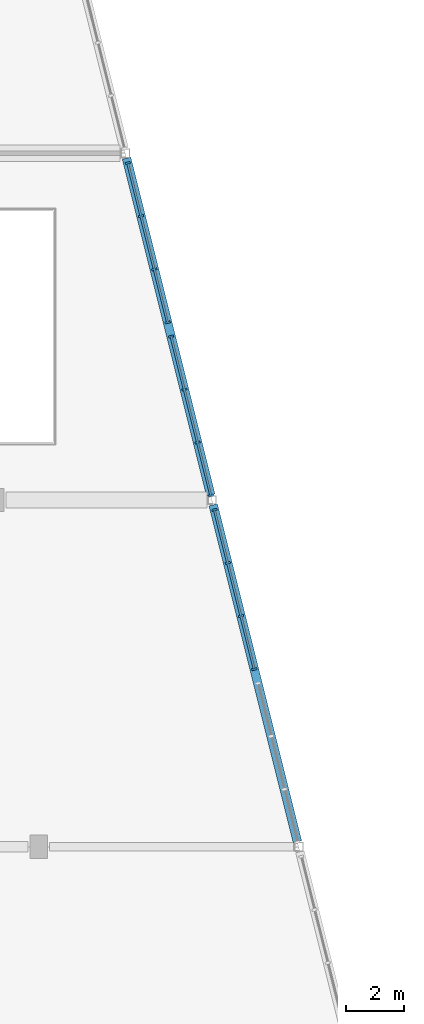
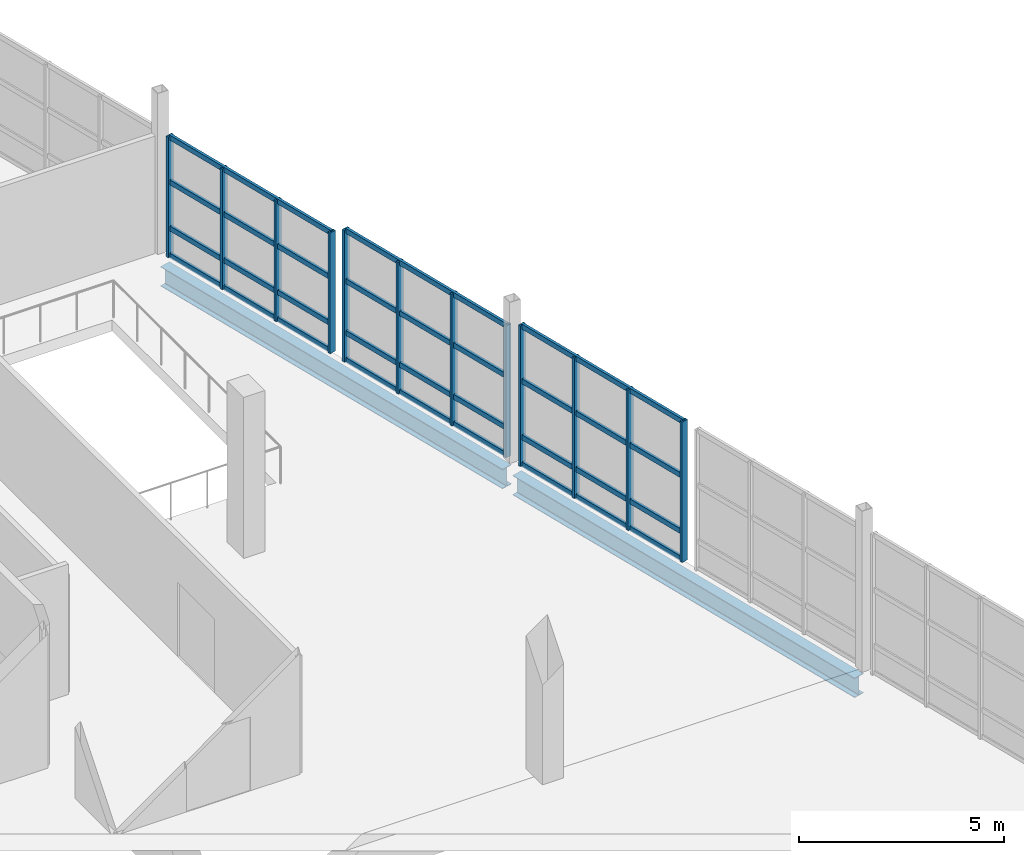
# One storey, part 22 of 49: 24 members, 2 beams, 3 elements without a shape of their own.
"""IFC4 building model written with IfcOpenShell, lengths in metres."""

from ifc_helpers import new_model, si_unit, direction, frame, origin, origin_2d, place, context, subcontext, project, spatial, rectangle, i_section, extrude, material, material_profile, profile_set, type_object, element, aggregate, save


model = new_model("IFC4")

# Units and contexts
model_context = context("Model", 3, precision=1e-05, world=origin(), true_north=direction((0.0, 1.0)))
body_context = subcontext(model_context, "Body", "Model", "MODEL_VIEW")
ifc_project = project(units=[si_unit("LENGTHUNIT", "METRE"), si_unit("AREAUNIT", "SQUARE_METRE"), si_unit("VOLUMEUNIT", "CUBIC_METRE"), si_unit("PLANEANGLEUNIT", "RADIAN"), si_unit("MASSUNIT", "GRAM", prefix="KILO")], contexts=[model_context])

# Site, building, storey
site_placement = place(None, origin())
site = spatial("IfcSite", under=ifc_project, at=site_placement, CompositionType="ELEMENT")
building_placement = place(site_placement, origin())
building = spatial("IfcBuilding", under=site, at=building_placement, Name="Kamomehara Wholesale Market", CompositionType="ELEMENT")
storey_placement = place(building_placement, frame((0.0, 0.0, 11.39990234375)))
storey = spatial("IfcBuildingStorey", under=building, at=storey_placement, Name="L02", CompositionType="ELEMENT", Elevation=11.39990234375)

# Beams
ifc_material_1 = material(Name="Steel SN490B", Category="steel")
ifc_material_profile_1 = material_profile(ifc_material_1, i_section(OverallWidth=0.300048828125, OverallDepth=0.587890625, WebThickness=0.011962890625, FlangeThickness=0.02001953125, FilletRadius=0.02197265625, at=origin_2d()), Name="H-588x300x12x20")
ifc_profile_set_1 = profile_set([ifc_material_profile_1], Name="Steel SN490B")
beam_type = type_object("IfcBeamType", Name="BM-ST-H588-EXT", PredefinedType="BEAM", material=ifc_profile_set_1)
for number, where, z_axis, x_axis, name in (
    (1, (197.95703125, 48.172119140625, -0.6259765625), (-0.242545187601, 0.970140109454, 0.0), (-0.970140109454, -0.242545187601, 0.0), "Beam SG-06E L02"),
    (2, (194.95703125, 60.172119140625, -0.6259765625), (-0.242545187601, 0.970140109454, 0.0), (-0.970140109454, -0.242545187601, 0.0), "Beam SG-06E L02"),
):
    element("IfcBeam", number, at=place(storey_placement, frame(where, z_axis=z_axis, x_axis=x_axis)), inside=storey, type_object=beam_type, Name=name, PredefinedType="BEAM", context=body_context, shape_type="SweptSolid", body=[
        extrude(i_section(OverallWidth=0.300048828125, OverallDepth=0.587890625, WebThickness=0.011962890625, FlangeThickness=0.02001953125, FilletRadius=0.02197265625, at=origin_2d()), origin(), (0.0, 0.0, 1.0), 12.014404296875),
    ])

# Curtain wall, members
ifc_material_2 = material(Name="Anodised aluminium 6063-T5", Category="aluminium")
curtain_wall_type = type_object("IfcCurtainWallType", Name="CW-UN-09", PredefinedType="NOTDEFINED", material=ifc_material_2)
curtain_wall_1_placement = place(storey_placement, origin())
curtain_wall_1 = element("IfcCurtainWall", 3, at=curtain_wall_1_placement, inside=storey, type_object=curtain_wall_type, Name="Unitised curtain wall CW-197", PredefinedType="NOTDEFINED")
ifc_material_3 = material(Name="Anodised aluminium 6063-T5", Category="aluminium")
ifc_material_profile_2 = material_profile(ifc_material_3, rectangle(XDim=0.074951171875, YDim=0.179931640625, at=origin_2d()), Name="ALU-MUL-75x180")
ifc_profile_set_2 = profile_set([ifc_material_profile_2], Name="Anodised aluminium 6063-T5")
member_type_1 = type_object("IfcMemberType", Name="CW-MUL-180", PredefinedType="MULLION", material=ifc_profile_set_2)
member_1_placement = place(storey_placement, frame((195.0849609375, 59.659912109375, 0.0), z_axis=(0.0, 0.0, 1.0), x_axis=(0.242617855844, -0.97012193874, 0.0)))
member_1 = element("IfcMember", 4, at=member_1_placement, type_object=member_type_1, Name="Mullion CW-197.0", PredefinedType="MULLION", context=body_context, shape_type="SweptSolid", body=[
    extrude(rectangle(XDim=0.074951171875, YDim=0.179931640625, at=origin_2d()), origin(), (0.0, 0.0, 1.0), 4.192138671875),
])
member_2_placement = place(storey_placement, frame((195.544921875, 57.822021484375, 0.0), z_axis=(0.0, 0.0, 1.0), x_axis=(0.242617855844, -0.97012193874, 0.0)))
member_2 = element("IfcMember", 5, at=member_2_placement, type_object=member_type_1, Name="Mullion CW-197.1", PredefinedType="MULLION", context=body_context, shape_type="SweptSolid", body=[
    extrude(rectangle(XDim=0.074951171875, YDim=0.179931640625, at=origin_2d()), origin(), (0.0, 0.0, 1.0), 4.192138671875),
])
member_3_placement = place(storey_placement, frame((196.00390625, 55.98388671875, 0.0), z_axis=(0.0, 0.0, 1.0), x_axis=(0.242617855844, -0.97012193874, 0.0)))
member_3 = element("IfcMember", 6, at=member_3_placement, type_object=member_type_1, Name="Mullion CW-197.2", PredefinedType="MULLION", context=body_context, shape_type="SweptSolid", body=[
    extrude(rectangle(XDim=0.074951171875, YDim=0.179931640625, at=origin_2d()), origin(), (0.0, 0.0, 1.0), 4.192138671875),
])
member_4_placement = place(storey_placement, frame((196.464111328125, 54.14599609375, 0.0), z_axis=(0.0, 0.0, 1.0), x_axis=(0.242617855844, -0.97012193874, 0.0)))
member_4 = element("IfcMember", 7, at=member_4_placement, type_object=member_type_1, Name="Mullion CW-197.3", PredefinedType="MULLION", context=body_context, shape_type="SweptSolid", body=[
    extrude(rectangle(XDim=0.074951171875, YDim=0.179931640625, at=origin_2d()), origin(), (0.0, 0.0, 1.0), 4.192138671875),
])

curtain_wall_2_placement = place(storey_placement, origin())
curtain_wall_2 = element("IfcCurtainWall", 8, at=curtain_wall_2_placement, inside=storey, type_object=curtain_wall_type, Name="Unitised curtain wall CW-199", PredefinedType="NOTDEFINED")
member_5_placement = place(storey_placement, frame((192.0849609375, 71.659912109375, 0.0), z_axis=(0.0, 0.0, 1.0), x_axis=(0.242617855844, -0.97012193874, 0.0)))
member_5 = element("IfcMember", 9, at=member_5_placement, type_object=member_type_1, Name="Mullion CW-199.0", PredefinedType="MULLION", context=body_context, shape_type="SweptSolid", body=[
    extrude(rectangle(XDim=0.074951171875, YDim=0.179931640625, at=origin_2d()), origin(), (0.0, 0.0, 1.0), 3.60009765625),
])
member_6_placement = place(storey_placement, frame((192.544921875, 69.822021484375, 0.0), z_axis=(0.0, 0.0, 1.0), x_axis=(0.242617855844, -0.97012193874, 0.0)))
member_6 = element("IfcMember", 10, at=member_6_placement, type_object=member_type_1, Name="Mullion CW-199.1", PredefinedType="MULLION", context=body_context, shape_type="SweptSolid", body=[
    extrude(rectangle(XDim=0.074951171875, YDim=0.179931640625, at=origin_2d()), origin(), (0.0, 0.0, 1.0), 3.60009765625),
])
member_7_placement = place(storey_placement, frame((193.00390625, 67.98388671875, 0.0), z_axis=(0.0, 0.0, 1.0), x_axis=(0.242617855844, -0.97012193874, 0.0)))
member_7 = element("IfcMember", 11, at=member_7_placement, type_object=member_type_1, Name="Mullion CW-199.2", PredefinedType="MULLION", context=body_context, shape_type="SweptSolid", body=[
    extrude(rectangle(XDim=0.074951171875, YDim=0.179931640625, at=origin_2d()), origin(), (0.0, 0.0, 1.0), 3.60009765625),
])
member_8_placement = place(storey_placement, frame((193.464111328125, 66.14599609375, 0.0), z_axis=(0.0, 0.0, 1.0), x_axis=(0.242617855844, -0.97012193874, 0.0)))
member_8 = element("IfcMember", 12, at=member_8_placement, type_object=member_type_1, Name="Mullion CW-199.3", PredefinedType="MULLION", context=body_context, shape_type="SweptSolid", body=[
    extrude(rectangle(XDim=0.074951171875, YDim=0.179931640625, at=origin_2d()), origin(), (0.0, 0.0, 1.0), 3.60009765625),
])

curtain_wall_3_placement = place(storey_placement, origin())
curtain_wall_3 = element("IfcCurtainWall", 13, at=curtain_wall_3_placement, inside=storey, type_object=curtain_wall_type, Name="Unitised curtain wall CW-200", PredefinedType="NOTDEFINED")
member_9_placement = place(storey_placement, frame((193.5849609375, 65.659912109375, 0.0), z_axis=(0.0, 0.0, 1.0), x_axis=(0.242494251575, -0.970152842573, 0.0)))
member_9 = element("IfcMember", 14, at=member_9_placement, type_object=member_type_1, Name="Mullion CW-200.0", PredefinedType="MULLION", context=body_context, shape_type="SweptSolid", body=[
    extrude(rectangle(XDim=0.074951171875, YDim=0.179931640625, at=origin_2d()), origin(), (0.0, 0.0, 1.0), 3.93017578125),
])
member_10_placement = place(storey_placement, frame((194.0439453125, 63.824951171875, 0.0), z_axis=(0.0, 0.0, 1.0), x_axis=(0.242494251575, -0.970152842573, 0.0)))
member_10 = element("IfcMember", 15, at=member_10_placement, type_object=member_type_1, Name="Mullion CW-200.1", PredefinedType="MULLION", context=body_context, shape_type="SweptSolid", body=[
    extrude(rectangle(XDim=0.074951171875, YDim=0.179931640625, at=origin_2d()), origin(), (0.0, 0.0, 1.0), 3.93017578125),
])
member_11_placement = place(storey_placement, frame((194.501953125, 61.989990234375, 0.0), z_axis=(0.0, 0.0, 1.0), x_axis=(0.242494251575, -0.970152842573, 0.0)))
member_11 = element("IfcMember", 16, at=member_11_placement, type_object=member_type_1, Name="Mullion CW-200.2", PredefinedType="MULLION", context=body_context, shape_type="SweptSolid", body=[
    extrude(rectangle(XDim=0.074951171875, YDim=0.179931640625, at=origin_2d()), origin(), (0.0, 0.0, 1.0), 3.93017578125),
])
member_12_placement = place(storey_placement, frame((194.9609375, 60.155029296875, 0.0), z_axis=(0.0, 0.0, 1.0), x_axis=(0.242494251575, -0.970152842573, 0.0)))
member_12 = element("IfcMember", 17, at=member_12_placement, type_object=member_type_1, Name="Mullion CW-200.3", PredefinedType="MULLION", context=body_context, shape_type="SweptSolid", body=[
    extrude(rectangle(XDim=0.074951171875, YDim=0.179931640625, at=origin_2d()), origin(), (0.0, 0.0, 1.0), 3.93017578125),
])

# Member
ifc_material_4 = material(Name="Anodised aluminium 6063-T5", Category="aluminium")
ifc_material_profile_3 = material_profile(ifc_material_4, rectangle(XDim=0.074951171875, YDim=0.14990234375, at=origin_2d()), Name="ALU-TRN-75x150")
ifc_profile_set_3 = profile_set([ifc_material_profile_3], Name="Anodised aluminium 6063-T5")
member_type_2 = type_object("IfcMemberType", Name="CW-TRN-150", PredefinedType="USERDEFINED", material=ifc_profile_set_3)
member_13_placement = place(storey_placement, frame((195.0849609375, 59.659912109375, 0.0400390625), z_axis=(0.242646798343, -0.97011470005, 0.0), x_axis=(0.97011470005, 0.242646798343, 0.0)))
member_13 = element("IfcMember", 18, at=member_13_placement, type_object=member_type_2, Name="Transom CW-197.0", ObjectType="TRANSOM", PredefinedType="USERDEFINED", context=body_context, shape_type="SweptSolid", body=[
    extrude(rectangle(XDim=0.074951171875, YDim=0.14990234375, at=origin_2d()), origin(), (0.0, 0.0, 1.0), 5.683837890625),
])

member_14_placement = place(storey_placement, frame((195.0849609375, 59.659912109375, 0.85009765625), z_axis=(0.242646798343, -0.97011470005, 0.0), x_axis=(0.97011470005, 0.242646798343, 0.0)))
member_14 = element("IfcMember", 19, at=member_14_placement, type_object=member_type_2, Name="Transom CW-197.1", ObjectType="TRANSOM", PredefinedType="USERDEFINED", context=body_context, shape_type="SweptSolid", body=[
    extrude(rectangle(XDim=0.074951171875, YDim=0.14990234375, at=origin_2d()), origin(), (0.0, 0.0, 1.0), 5.683837890625),
])

member_15_placement = place(storey_placement, frame((195.0849609375, 59.659912109375, 2.52099609375), z_axis=(0.242646798343, -0.97011470005, 0.0), x_axis=(0.97011470005, 0.242646798343, 0.0)))
member_15 = element("IfcMember", 20, at=member_15_placement, type_object=member_type_2, Name="Transom CW-197.2", ObjectType="TRANSOM", PredefinedType="USERDEFINED", context=body_context, shape_type="SweptSolid", body=[
    extrude(rectangle(XDim=0.074951171875, YDim=0.14990234375, at=origin_2d()), origin(), (0.0, 0.0, 1.0), 5.683837890625),
])

member_16_placement = place(storey_placement, frame((195.0849609375, 59.659912109375, 4.152099609375), z_axis=(0.242646798343, -0.97011470005, 0.0), x_axis=(0.97011470005, 0.242646798343, 0.0)))
member_16 = element("IfcMember", 21, at=member_16_placement, type_object=member_type_2, Name="Transom CW-197.3", ObjectType="TRANSOM", PredefinedType="USERDEFINED", context=body_context, shape_type="SweptSolid", body=[
    extrude(rectangle(XDim=0.074951171875, YDim=0.14990234375, at=origin_2d()), origin(), (0.0, 0.0, 1.0), 5.683837890625),
])

aggregate(curtain_wall_1, [member_1, member_2, member_3, member_4, member_13, member_14, member_15, member_16])

member_17_placement = place(storey_placement, frame((192.0849609375, 71.659912109375, 0.0400390625), z_axis=(0.242646798343, -0.97011470005, 0.0), x_axis=(0.97011470005, 0.242646798343, 0.0)))
member_17 = element("IfcMember", 22, at=member_17_placement, type_object=member_type_2, Name="Transom CW-199.0", ObjectType="TRANSOM", PredefinedType="USERDEFINED", context=body_context, shape_type="SweptSolid", body=[
    extrude(rectangle(XDim=0.074951171875, YDim=0.14990234375, at=origin_2d()), origin(), (0.0, 0.0, 1.0), 5.683837890625),
])

member_18_placement = place(storey_placement, frame((192.0849609375, 71.659912109375, 0.85009765625), z_axis=(0.242646798343, -0.97011470005, 0.0), x_axis=(0.97011470005, 0.242646798343, 0.0)))
member_18 = element("IfcMember", 23, at=member_18_placement, type_object=member_type_2, Name="Transom CW-199.1", ObjectType="TRANSOM", PredefinedType="USERDEFINED", context=body_context, shape_type="SweptSolid", body=[
    extrude(rectangle(XDim=0.074951171875, YDim=0.14990234375, at=origin_2d()), origin(), (0.0, 0.0, 1.0), 5.683837890625),
])

member_19_placement = place(storey_placement, frame((192.0849609375, 71.659912109375, 2.22509765625), z_axis=(0.242646798343, -0.97011470005, 0.0), x_axis=(0.97011470005, 0.242646798343, 0.0)))
member_19 = element("IfcMember", 24, at=member_19_placement, type_object=member_type_2, Name="Transom CW-199.2", ObjectType="TRANSOM", PredefinedType="USERDEFINED", context=body_context, shape_type="SweptSolid", body=[
    extrude(rectangle(XDim=0.074951171875, YDim=0.14990234375, at=origin_2d()), origin(), (0.0, 0.0, 1.0), 5.683837890625),
])

member_20_placement = place(storey_placement, frame((192.0849609375, 71.659912109375, 3.56005859375), z_axis=(0.242646798343, -0.97011470005, 0.0), x_axis=(0.97011470005, 0.242646798343, 0.0)))
member_20 = element("IfcMember", 25, at=member_20_placement, type_object=member_type_2, Name="Transom CW-199.3", ObjectType="TRANSOM", PredefinedType="USERDEFINED", context=body_context, shape_type="SweptSolid", body=[
    extrude(rectangle(XDim=0.074951171875, YDim=0.14990234375, at=origin_2d()), origin(), (0.0, 0.0, 1.0), 5.683837890625),
])

aggregate(curtain_wall_2, [member_5, member_6, member_7, member_8, member_17, member_18, member_19, member_20])

member_21_placement = place(storey_placement, frame((193.5849609375, 65.659912109375, 0.0400390625), z_axis=(0.242495129667, -0.97015262309, 0.0), x_axis=(0.97015262309, 0.242495129667, 0.0)))
member_21 = element("IfcMember", 26, at=member_21_placement, type_object=member_type_2, Name="Transom CW-200.0", ObjectType="TRANSOM", PredefinedType="USERDEFINED", context=body_context, shape_type="SweptSolid", body=[
    extrude(rectangle(XDim=0.074951171875, YDim=0.14990234375, at=origin_2d()), origin(), (0.0, 0.0, 1.0), 5.67431640625),
])

member_22_placement = place(storey_placement, frame((193.5849609375, 65.659912109375, 0.85009765625), z_axis=(0.242495129667, -0.97015262309, 0.0), x_axis=(0.97015262309, 0.242495129667, 0.0)))
member_22 = element("IfcMember", 27, at=member_22_placement, type_object=member_type_2, Name="Transom CW-200.1", ObjectType="TRANSOM", PredefinedType="USERDEFINED", context=body_context, shape_type="SweptSolid", body=[
    extrude(rectangle(XDim=0.074951171875, YDim=0.14990234375, at=origin_2d()), origin(), (0.0, 0.0, 1.0), 5.67431640625),
])

member_23_placement = place(storey_placement, frame((193.5849609375, 65.659912109375, 2.39013671875), z_axis=(0.242495129667, -0.97015262309, 0.0), x_axis=(0.97015262309, 0.242495129667, 0.0)))
member_23 = element("IfcMember", 28, at=member_23_placement, type_object=member_type_2, Name="Transom CW-200.2", ObjectType="TRANSOM", PredefinedType="USERDEFINED", context=body_context, shape_type="SweptSolid", body=[
    extrude(rectangle(XDim=0.074951171875, YDim=0.14990234375, at=origin_2d()), origin(), (0.0, 0.0, 1.0), 5.67431640625),
])

member_24_placement = place(storey_placement, frame((193.5849609375, 65.659912109375, 3.89013671875), z_axis=(0.242495129667, -0.97015262309, 0.0), x_axis=(0.97015262309, 0.242495129667, 0.0)))
member_24 = element("IfcMember", 29, at=member_24_placement, type_object=member_type_2, Name="Transom CW-200.3", ObjectType="TRANSOM", PredefinedType="USERDEFINED", context=body_context, shape_type="SweptSolid", body=[
    extrude(rectangle(XDim=0.074951171875, YDim=0.14990234375, at=origin_2d()), origin(), (0.0, 0.0, 1.0), 5.67431640625),
])

aggregate(curtain_wall_3, [member_9, member_10, member_11, member_12, member_21, member_22, member_23, member_24])

save(model, "model.ifc")
